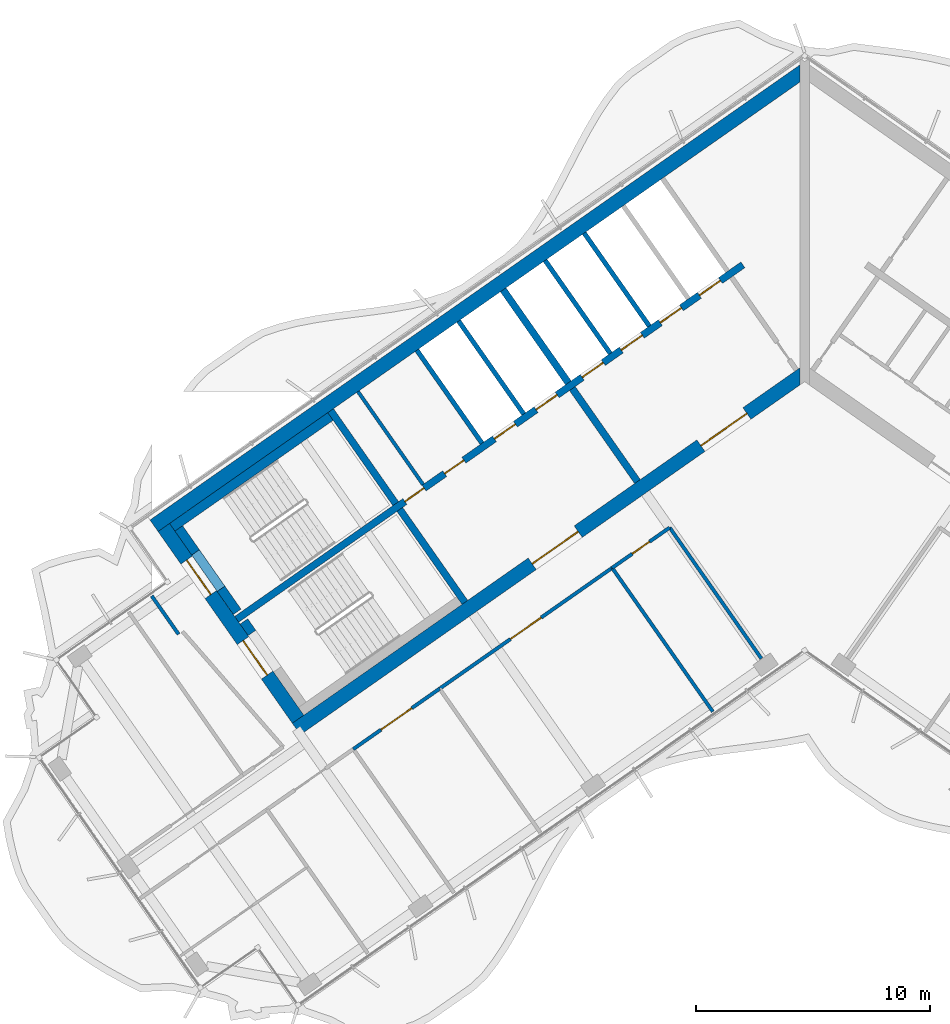
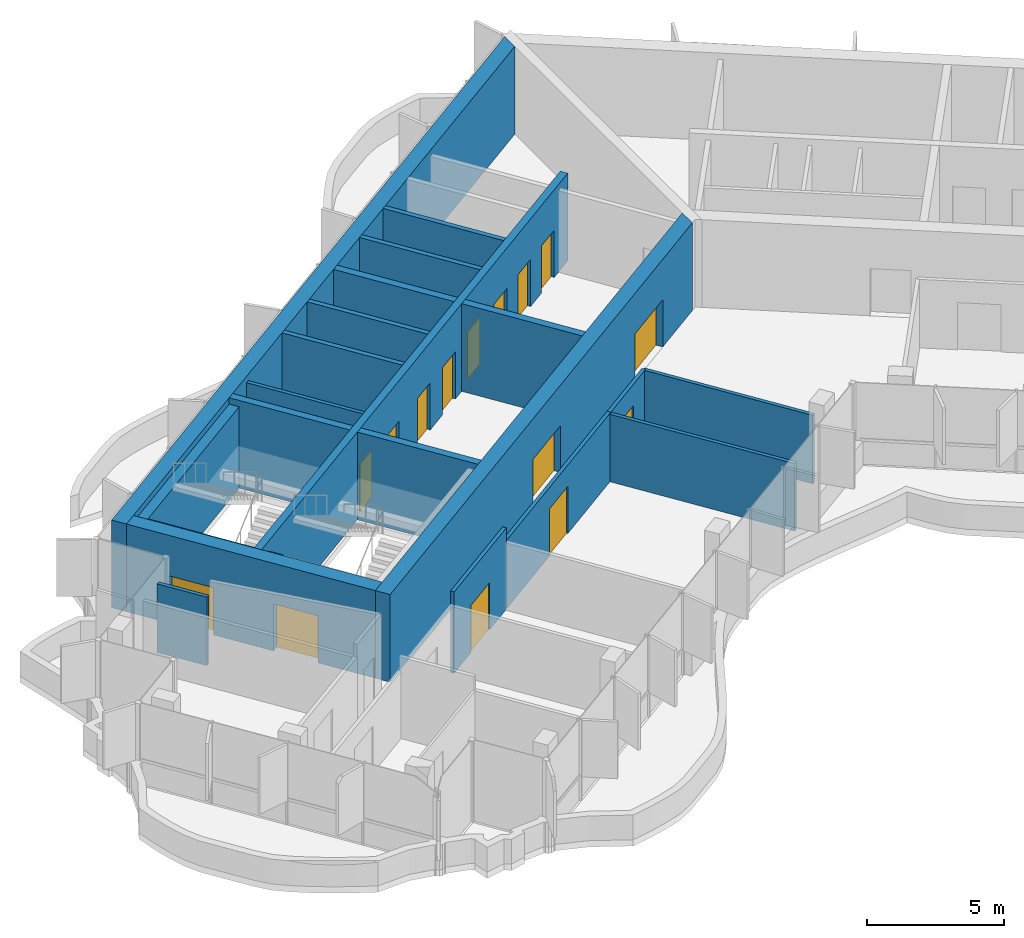
# One storey, part 9 of 17: 24 walls, 15 doors, 15 openings.
"""IFC4 building model written with IfcOpenShell, lengths in metres."""

from ifc_helpers import new_model, si_unit, direction, frame, frame_2d, origin, place, context, subcontext, project, spatial, polyline, rectangle, outline, extrude, material, layer, layer_set, type_object, element, fill, save


model = new_model("IFC4")

# Units and contexts
model_context = context("Model", 3, precision=1e-05, world=origin(), true_north=direction((0.0, 1.0)))
body_context = subcontext(model_context, "Body", "Model", "MODEL_VIEW")
ifc_project = project(units=[si_unit("LENGTHUNIT", "METRE"), si_unit("AREAUNIT", "SQUARE_METRE"), si_unit("VOLUMEUNIT", "CUBIC_METRE"), si_unit("PLANEANGLEUNIT", "RADIAN"), si_unit("MASSUNIT", "GRAM", prefix="KILO")], contexts=[model_context])

# Site, building, storey
site_placement = place(None, origin())
site = spatial("IfcSite", under=ifc_project, at=site_placement, CompositionType="ELEMENT")
building_placement = place(site_placement, origin())
building = spatial("IfcBuilding", under=site, at=building_placement, Name="Tel Ilan Convention Tower", CompositionType="ELEMENT")
storey_placement = place(building_placement, frame((0.0, 0.0, 283.89990234375)))
storey = spatial("IfcBuildingStorey", under=building, at=storey_placement, Name="L67", CompositionType="ELEMENT", Elevation=283.89990234375)

# Walls
ifc_material_1 = material(Name="Gypsum Plasterboard on Steel Stud", Category="steel")
ifc_layer_1 = layer(ifc_material_1, 0.14990234375)
ifc_layer_set_1 = layer_set([ifc_layer_1], Name="Core Room Partition Wall 150 mm EI 60")
wall_type_1 = type_object("IfcWallType", Name="Core Room Partition Wall 150 mm EI 60", PredefinedType="PARTITIONING", material=ifc_layer_set_1)
wall_1_placement = place(storey_placement, frame((-16.302001953125, -5.6162109375, 0.0), z_axis=(0.0, 0.0, 1.0), x_axis=(-0.573560315113, 0.819163332265, 0.0)))
element("IfcWall", 1, at=wall_1_placement, inside=storey, type_object=wall_type_1, Name="L67 core wall bank-W2-split", PredefinedType="PARTITIONING", context=body_context, shape_type="SweptSolid", body=[
    extrude(rectangle(XDim=4.849853515625, YDim=0.14990234375, at=frame_2d((2.4248046875, 0.0))), origin(), (0.0, 0.0, 1.0), 3.6201171875),
])
ifc_material_2 = material(Name="Concrete C40/50", Category="concrete")
ifc_layer_2 = layer(ifc_material_2, 0.300048828125)
ifc_layer_set_2 = layer_set([ifc_layer_2], Name="Core Shear Wall 300 mm C40/50")
wall_type_2 = type_object("IfcWallType", Name="Core Shear Wall 300 mm C40/50", PredefinedType="SHEAR", material=ifc_layer_set_2)
wall_2_placement = place(storey_placement, frame((-7.142822265625, -5.48974609375, 0.0), z_axis=(0.0, 0.0, 1.0), x_axis=(-0.573617744349, 0.819123118565, 0.0)))
element("IfcWall", 2, at=wall_2_placement, inside=storey, type_object=wall_type_2, Name="L67 core wall W-cross1-1", PredefinedType="SHEAR", context=body_context, shape_type="SweptSolid", body=[
    extrude(outline(polyline([(4.85009765625, 0.14990234375), (0.0, 0.150146484375), (0.0, -0.14990234375), (4.85009765625, -0.150146484375), (4.85009765625, 0.14990234375)])), origin(), (0.0, 0.0, 1.0), 3.900146484375),
])
wall_3_placement = place(storey_placement, frame((-10.096923828125, -1.271240234375, 0.0), z_axis=(0.0, 0.0, 1.0), x_axis=(-0.573560315113, 0.819163332265, 0.0)))
element("IfcWall", 3, at=wall_3_placement, inside=storey, type_object=wall_type_2, Name="L67 core wall W-cross1-2", PredefinedType="SHEAR", context=body_context, shape_type="SweptSolid", body=[
    extrude(outline(polyline([(4.849853515625, -0.14990234375), (4.849853515625, 0.150146484375), (0.0, 0.14990234375), (0.0, -0.150146484375), (4.849853515625, -0.14990234375)])), origin(), (0.0, 0.0, 1.0), 3.900146484375),
])
wall_4_placement = place(storey_placement, frame((-14.515380859375, -10.652099609375, 0.0), z_axis=(0.0, 0.0, 1.0), x_axis=(-0.573560315113, 0.819163332265, 0.0)))
element("IfcWall", 4, at=wall_4_placement, inside=storey, type_object=wall_type_2, Name="L67 core wall W-cross2-1", PredefinedType="SHEAR", context=body_context, shape_type="SweptSolid", body=[
    extrude(outline(polyline([(4.85009765625, 0.14990234375), (0.0, 0.14990234375), (0.0, -0.150146484375), (4.85009765625, -0.14990234375), (4.85009765625, 0.14990234375)])), origin(), (0.0, 0.0, 1.0), 3.900146484375),
])
wall_5_placement = place(storey_placement, frame((-17.46923828125, -6.433349609375, 0.0), z_axis=(0.0, 0.0, 1.0), x_axis=(-0.573594092424, 0.81913968109, 0.0)))
element("IfcWall", 5, at=wall_5_placement, inside=storey, type_object=wall_type_2, Name="L67 core wall W-cross2-2", PredefinedType="SHEAR", context=body_context, shape_type="SweptSolid", body=[
    extrude(outline(polyline([(4.849853515625, -0.150146484375), (4.849853515625, 0.14990234375), (0.0, 0.14990234375), (0.0, -0.14990234375), (4.849853515625, -0.150146484375)])), origin(), (0.0, 0.0, 1.0), 3.900146484375),
])

# Wall, openings, doors
wall_6_placement = place(storey_placement, frame((-2.638427734375, 3.76806640625, 0.0), z_axis=(0.0, 0.0, 1.0), x_axis=(-0.819155014212, -0.573572194837, 0.0)))
wall_6 = element("IfcWall", 6, at=wall_6_placement, inside=storey, type_object=wall_type_2, Name="L67 core wall W-spine", PredefinedType="SHEAR", context=body_context, shape_type="SweptSolid", body=[
    extrude(outline(polyline([(26.39990234375, 0.150146484375), (0.0, 0.14990234375), (0.0, -0.150146484375), (26.39990234375, -0.14990234375), (26.39990234375, 0.150146484375)])), origin(), (0.0, 0.0, 1.0), 3.900146484375),
])
opening_1_placement = place(wall_6_placement, frame((1.168701171875, 0.0, 0.0)))
opening_1 = element("IfcOpeningElement", 7, at=opening_1_placement, cuts=wall_6, Name="Opening LD5004", PredefinedType="OPENING", context=body_context, shape_type="SweptSolid", body=[
    extrude(rectangle(XDim=1.10009765625, YDim=2.10009765625, at=frame_2d((0.550048828125, 1.050048828125))), frame((0.0, 0.159912109375, 0.0), z_axis=(0.0, -1.0, 0.0), x_axis=(1.0, 0.0, 0.0)), (0.0, 0.0, 1.0), 0.320068359375),
])
opening_2_placement = place(wall_6_placement, frame((3.206298828125, 0.0, 0.0)))
opening_2 = element("IfcOpeningElement", 8, at=opening_2_placement, cuts=wall_6, Name="Opening LD5005", PredefinedType="OPENING", context=body_context, shape_type="SweptSolid", body=[
    extrude(rectangle(XDim=1.10009765625, YDim=2.10009765625, at=frame_2d((0.550048828125, 1.050048828125))), frame((0.0, 0.159912109375, 0.0), z_axis=(0.0, -1.0, 0.0), x_axis=(1.0, 0.0, 0.0)), (0.0, 0.0, 1.0), 0.320068359375),
])
opening_3_placement = place(wall_6_placement, frame((5.24365234375, 0.0, 0.0)))
opening_3 = element("IfcOpeningElement", 9, at=opening_3_placement, cuts=wall_6, Name="Opening LD5006", PredefinedType="OPENING", context=body_context, shape_type="SweptSolid", body=[
    extrude(rectangle(XDim=1.10009765625, YDim=2.10009765625, at=frame_2d((0.550048828125, 1.050048828125))), frame((0.0, 0.159912109375, 0.0), z_axis=(0.0, -1.0, 0.0), x_axis=(1.0, 0.0, 0.0)), (0.0, 0.0, 1.0), 0.320068359375),
])
opening_4_placement = place(wall_6_placement, frame((7.28125, 0.0, 0.0)))
opening_4 = element("IfcOpeningElement", 10, at=opening_4_placement, cuts=wall_6, Name="Opening LD5007", PredefinedType="OPENING", context=body_context, shape_type="SweptSolid", body=[
    extrude(rectangle(XDim=1.10009765625, YDim=2.10009765625, at=frame_2d((0.550048828125, 1.050048828125))), frame((0.0, 0.159912109375, 0.0), z_axis=(0.0, -1.0, 0.0), x_axis=(1.0, 0.0, 0.0)), (0.0, 0.0, 1.0), 0.320068359375),
])
opening_5_placement = place(wall_6_placement, frame((9.6875, 0.0, 0.0)))
opening_5 = element("IfcOpeningElement", 11, at=opening_5_placement, cuts=wall_6, Name="Opening LD5008", PredefinedType="OPENING", context=body_context, shape_type="SweptSolid", body=[
    extrude(rectangle(XDim=1.10009765625, YDim=2.10009765625, at=frame_2d((0.550048828125, 1.050048828125))), frame((0.0, 0.159912109375, 0.0), z_axis=(0.0, -1.0, 0.0), x_axis=(1.0, 0.0, 0.0)), (0.0, 0.0, 1.0), 0.320068359375),
])
opening_6_placement = place(wall_6_placement, frame((11.862548828125, 0.0, 0.0)))
opening_6 = element("IfcOpeningElement", 12, at=opening_6_placement, cuts=wall_6, Name="Opening LD5009", PredefinedType="OPENING", context=body_context, shape_type="SweptSolid", body=[
    extrude(rectangle(XDim=1.10009765625, YDim=2.10009765625, at=frame_2d((0.550048828125, 1.050048828125))), frame((0.0, 0.159912109375, 0.0), z_axis=(0.0, -1.0, 0.0), x_axis=(1.0, 0.0, 0.0)), (0.0, 0.0, 1.0), 0.320068359375),
])
opening_7_placement = place(wall_6_placement, frame((14.552490234375, 0.0, 0.0)))
opening_7 = element("IfcOpeningElement", 13, at=opening_7_placement, cuts=wall_6, Name="Opening CD5009", PredefinedType="OPENING", context=body_context, shape_type="SweptSolid", body=[
    extrude(rectangle(XDim=1.0, YDim=2.10009765625, at=frame_2d((0.5, 1.050048828125))), frame((0.0, 0.159912109375, 0.0), z_axis=(0.0, -1.0, 0.0), x_axis=(1.0, 0.0, 0.0)), (0.0, 0.0, 1.0), 0.320068359375),
])
opening_8_placement = place(wall_6_placement, frame((16.62744140625, 0.0, 0.0)))
opening_8 = element("IfcOpeningElement", 14, at=opening_8_placement, cuts=wall_6, Name="Opening CD5010", PredefinedType="OPENING", context=body_context, shape_type="SweptSolid", body=[
    extrude(rectangle(XDim=1.0, YDim=2.10009765625, at=frame_2d((0.5, 1.050048828125))), frame((0.0, 0.159912109375, 0.0), z_axis=(0.0, -1.0, 0.0), x_axis=(1.0, 0.0, 0.0)), (0.0, 0.0, 1.0), 0.320068359375),
])
ifc_material_3 = material(Name="Stainless Steel Sliding Door Leaf", Category="steel")
door_type_1 = type_object("IfcDoorType", Name="Lift Landing Door 1100 x 2100 FD120", OperationType="NOTDEFINED", PredefinedType="DOOR", material=ifc_material_3)
door_1_placement = place(opening_1_placement, origin())
door_1 = element("IfcDoor", 15, at=door_1_placement, inside=storey, type_object=door_type_1, Name="Lift HR1 landing door", OperationType="SLIDING_TO_LEFT", OverallHeight=2.10009765625, OverallWidth=1.10009765625, PredefinedType="DOOR", context=body_context, shape_type="SweptSolid", body=[
    extrude(rectangle(XDim=1.10009765625, YDim=2.10009765625, at=frame_2d((0.550048828125, 1.050048828125))), frame((0.0, 0.02490234375, 0.0), z_axis=(0.0, -1.0, 0.0), x_axis=(1.0, 0.0, 0.0)), (0.0, 0.0, 1.0), 0.050048828125),
])
fill(opening_1, door_1)
door_2_placement = place(opening_2_placement, origin())
door_2 = element("IfcDoor", 16, at=door_2_placement, inside=storey, type_object=door_type_1, Name="Lift HR2 landing door", OperationType="SLIDING_TO_RIGHT", OverallHeight=2.10009765625, OverallWidth=1.10009765625, PredefinedType="DOOR", context=body_context, shape_type="SweptSolid", body=[
    extrude(rectangle(XDim=1.10009765625, YDim=2.10009765625, at=frame_2d((0.550048828125, 1.050048828125))), frame((0.0, 0.02490234375, 0.0), z_axis=(0.0, -1.0, 0.0), x_axis=(1.0, 0.0, 0.0)), (0.0, 0.0, 1.0), 0.050048828125),
])
fill(opening_2, door_2)
door_3_placement = place(opening_3_placement, origin())
door_3 = element("IfcDoor", 17, at=door_3_placement, inside=storey, type_object=door_type_1, Name="Lift HR3 landing door", OperationType="SLIDING_TO_LEFT", OverallHeight=2.10009765625, OverallWidth=1.10009765625, PredefinedType="DOOR", context=body_context, shape_type="SweptSolid", body=[
    extrude(rectangle(XDim=1.10009765625, YDim=2.10009765625, at=frame_2d((0.550048828125, 1.050048828125))), frame((0.0, 0.02490234375, 0.0), z_axis=(0.0, -1.0, 0.0), x_axis=(1.0, 0.0, 0.0)), (0.0, 0.0, 1.0), 0.050048828125),
])
fill(opening_3, door_3)
door_4_placement = place(opening_4_placement, origin())
door_4 = element("IfcDoor", 18, at=door_4_placement, inside=storey, type_object=door_type_1, Name="Lift HR4 landing door", OperationType="SLIDING_TO_RIGHT", OverallHeight=2.10009765625, OverallWidth=1.10009765625, PredefinedType="DOOR", context=body_context, shape_type="SweptSolid", body=[
    extrude(rectangle(XDim=1.10009765625, YDim=2.10009765625, at=frame_2d((0.550048828125, 1.050048828125))), frame((0.0, 0.02490234375, 0.0), z_axis=(0.0, -1.0, 0.0), x_axis=(1.0, 0.0, 0.0)), (0.0, 0.0, 1.0), 0.050048828125),
])
fill(opening_4, door_4)
door_5_placement = place(opening_5_placement, origin())
door_5 = element("IfcDoor", 19, at=door_5_placement, inside=storey, type_object=door_type_1, Name="Lift HR5 landing door", OperationType="SLIDING_TO_LEFT", OverallHeight=2.10009765625, OverallWidth=1.10009765625, PredefinedType="DOOR", context=body_context, shape_type="SweptSolid", body=[
    extrude(rectangle(XDim=1.10009765625, YDim=2.10009765625, at=frame_2d((0.550048828125, 1.050048828125))), frame((0.0, 0.02490234375, 0.0), z_axis=(0.0, -1.0, 0.0), x_axis=(1.0, 0.0, 0.0)), (0.0, 0.0, 1.0), 0.050048828125),
])
fill(opening_5, door_5)
door_6_placement = place(opening_6_placement, origin())
door_6 = element("IfcDoor", 20, at=door_6_placement, inside=storey, type_object=door_type_1, Name="Lift HR6 landing door", OperationType="SLIDING_TO_RIGHT", OverallHeight=2.10009765625, OverallWidth=1.10009765625, PredefinedType="DOOR", context=body_context, shape_type="SweptSolid", body=[
    extrude(rectangle(XDim=1.10009765625, YDim=2.10009765625, at=frame_2d((0.550048828125, 1.050048828125))), frame((0.0, 0.02490234375, 0.0), z_axis=(0.0, -1.0, 0.0), x_axis=(1.0, 0.0, 0.0)), (0.0, 0.0, 1.0), 0.050048828125),
])
fill(opening_6, door_6)
ifc_material_4 = material(Name="Galvanised Steel Door Leaf", Category="steel")
door_type_2 = type_object("IfcDoorType", Name="Service Room Door 1000 x 2100 FD60", OperationType="NOTDEFINED", PredefinedType="DOOR", material=ifc_material_4)
door_7_placement = place(opening_7_placement, origin())
door_7 = element("IfcDoor", 21, at=door_7_placement, inside=storey, type_object=door_type_2, Name="Plant Room door", OperationType="SINGLE_SWING_RIGHT", OverallHeight=2.10009765625, OverallWidth=1.0, PredefinedType="DOOR", context=body_context, shape_type="SweptSolid", body=[
    extrude(rectangle(XDim=1.0, YDim=2.10009765625, at=frame_2d((0.5, 1.050048828125))), frame((0.0, 0.02490234375, 0.0), z_axis=(0.0, -1.0, 0.0), x_axis=(1.0, 0.0, 0.0)), (0.0, 0.0, 1.0), 0.050048828125),
])
fill(opening_7, door_7)
door_8_placement = place(opening_8_placement, origin())
door_8 = element("IfcDoor", 22, at=door_8_placement, inside=storey, type_object=door_type_2, Name="Plant Room door", OperationType="SINGLE_SWING_RIGHT", OverallHeight=2.10009765625, OverallWidth=1.0, PredefinedType="DOOR", context=body_context, shape_type="SweptSolid", body=[
    extrude(rectangle(XDim=1.0, YDim=2.10009765625, at=frame_2d((0.5, 1.050048828125))), frame((0.0, 0.02490234375, 0.0), z_axis=(0.0, -1.0, 0.0), x_axis=(1.0, 0.0, 0.0)), (0.0, 0.0, 1.0), 0.050048828125),
])
fill(opening_8, door_8)

# Wall
ifc_material_5 = material(Name="Concrete C40/50", Category="concrete")
ifc_layer_3 = layer(ifc_material_5, 0.60009765625)
ifc_layer_set_3 = layer_set([ifc_layer_3], Name="Core Shear Wall 600 mm C40/50")
wall_type_3 = type_object("IfcWallType", Name="Core Shear Wall 600 mm C40/50", PredefinedType="SHEAR", material=ifc_layer_set_3)
wall_7_placement = place(storey_placement, frame((-0.02783203125, 12.066162109375, 0.0), z_axis=(0.0, 0.0, 1.0), x_axis=(-0.819151382952, -0.573577380837, 0.0)))
element("IfcWall", 23, at=wall_7_placement, inside=storey, type_object=wall_type_3, Name="L67 core wall W-back", PredefinedType="SHEAR", context=body_context, shape_type="SweptSolid", body=[
    extrude(outline(polyline([(33.89794921875, 0.300048828125), (0.420166015625, 0.300048828125), (0.0, -0.300048828125), (33.898193359375, -0.300048828125), (33.89794921875, 0.300048828125)])), origin(), (0.0, 0.0, 1.0), 3.900146484375),
])

# Wall, openings, doors
wall_8_placement = place(storey_placement, frame((-0.02783203125, -0.8740234375, 0.0), z_axis=(0.0, 0.0, 1.0), x_axis=(-0.819150035022, -0.573579305871, 0.0)))
wall_8 = element("IfcWall", 24, at=wall_8_placement, inside=storey, type_object=wall_type_3, Name="L67 core wall W-front", PredefinedType="SHEAR", context=body_context, shape_type="SweptSolid", body=[
    extrude(outline(polyline([(26.475830078125, 0.2998046875), (0.420166015625, 0.300048828125), (0.000244140625, -0.300048828125), (26.475830078125, -0.300048828125), (26.475830078125, 0.2998046875)])), origin(), (0.0, 0.0, 1.0), 3.900146484375),
])
opening_9_placement = place(wall_8_placement, frame((2.975830078125, 0.0, 0.0)))
opening_9 = element("IfcOpeningElement", 25, at=opening_9_placement, cuts=wall_8, Name="Opening CD5006", PredefinedType="OPENING", context=body_context, shape_type="SweptSolid", body=[
    extrude(rectangle(XDim=2.39990234375, YDim=2.10009765625, at=frame_2d((1.199951171875, 1.050048828125))), frame((0.0, 0.31005859375, 0.0), z_axis=(0.0, -1.0, 0.0), x_axis=(1.0, 0.0, 0.0)), (0.0, 0.0, 1.0), 0.6201171875),
])
opening_10_placement = place(wall_8_placement, frame((11.77587890625, 0.0, 0.0)))
opening_10 = element("IfcOpeningElement", 26, at=opening_10_placement, cuts=wall_8, Name="Opening CD5007", PredefinedType="OPENING", context=body_context, shape_type="SweptSolid", body=[
    extrude(rectangle(XDim=2.39990234375, YDim=2.10009765625, at=frame_2d((1.199951171875, 1.050048828125))), frame((0.0, 0.31005859375, 0.0), z_axis=(0.0, -1.0, 0.0), x_axis=(1.0, 0.0, 0.0)), (0.0, 0.0, 1.0), 0.6201171875),
])
ifc_material_6 = material(Name="Glazed Aluminium Door Leaf", Category="aluminium")
door_type_3 = type_object("IfcDoorType", Name="Lobby Opening Door 2400 x 2100 FD60S", OperationType="NOTDEFINED", PredefinedType="DOOR", material=ifc_material_6)
door_9_placement = place(opening_9_placement, origin())
door_9 = element("IfcDoor", 27, at=door_9_placement, inside=storey, type_object=door_type_3, Name="Lift Lobby HR1-HR4 opening", OperationType="DOUBLE_DOOR_SINGLE_SWING", OverallHeight=2.10009765625, OverallWidth=2.39990234375, PredefinedType="DOOR", context=body_context, shape_type="SweptSolid", body=[
    extrude(rectangle(XDim=2.39990234375, YDim=2.10009765625, at=frame_2d((1.199951171875, 1.050048828125))), frame((0.0, 0.02490234375, 0.0), z_axis=(0.0, -1.0, 0.0), x_axis=(1.0, 0.0, 0.0)), (0.0, 0.0, 1.0), 0.050048828125),
])
fill(opening_9, door_9)
door_10_placement = place(opening_10_placement, origin())
door_10 = element("IfcDoor", 28, at=door_10_placement, inside=storey, type_object=door_type_3, Name="Lift Lobby HR5-HR6 opening", OperationType="DOUBLE_DOOR_SINGLE_SWING", OverallHeight=2.10009765625, OverallWidth=2.39990234375, PredefinedType="DOOR", context=body_context, shape_type="SweptSolid", body=[
    extrude(rectangle(XDim=2.39990234375, YDim=2.10009765625, at=frame_2d((1.199951171875, 1.050048828125))), frame((0.0, 0.02490234375, 0.0), z_axis=(0.0, -1.0, 0.0), x_axis=(1.0, 0.0, 0.0)), (0.0, 0.0, 1.0), 0.050048828125),
])
fill(opening_10, door_10)

wall_9_placement = place(storey_placement, frame((-21.641845703125, -15.64208984375, 0.0), z_axis=(0.0, 0.0, 1.0), x_axis=(-0.573586866468, 0.819144740944, 0.0)))
wall_9 = element("IfcWall", 29, at=wall_9_placement, inside=storey, type_object=wall_type_3, Name="L67 core wall W-end", PredefinedType="SHEAR", context=body_context, shape_type="SweptSolid", body=[
    extrude(outline(polyline([(0.0, 0.300048828125), (0.0, -0.2998046875), (10.0, -0.300048828125), (10.0, 0.300048828125), (0.0, 0.300048828125)])), origin(), (0.0, 0.0, 1.0), 3.900146484375),
])
opening_11_placement = place(wall_9_placement, frame((6.5, 0.0, 0.0)))
opening_11 = element("IfcOpeningElement", 30, at=opening_11_placement, cuts=wall_9, Name="Opening SD5001", PredefinedType="OPENING", context=body_context, shape_type="SweptSolid", body=[
    extrude(rectangle(XDim=1.800048828125, YDim=2.10009765625, at=frame_2d((0.89990234375, 1.050048828125))), frame((0.0, 0.31005859375, 0.0), z_axis=(0.0, -1.0, 0.0), x_axis=(1.0, 0.0, 0.0)), (0.0, 0.0, 1.0), 0.6201171875),
])
opening_12_placement = place(wall_9_placement, frame((2.300048828125, 0.0, 0.0)))
opening_12 = element("IfcOpeningElement", 31, at=opening_12_placement, cuts=wall_9, Name="Opening SD5002", PredefinedType="OPENING", context=body_context, shape_type="SweptSolid", body=[
    extrude(rectangle(XDim=1.800048828125, YDim=2.10009765625, at=frame_2d((0.89990234375, 1.050048828125))), frame((0.0, 0.31005859375, 0.0), z_axis=(0.0, -1.0, 0.0), x_axis=(1.0, 0.0, 0.0)), (0.0, 0.0, 1.0), 0.6201171875),
])
ifc_material_7 = material(Name="Galvanised Steel Door Leaf", Category="steel")
door_type_4 = type_object("IfcDoorType", Name="Stair Fire Door 1800 x 2100 FD60S", OperationType="NOTDEFINED", PredefinedType="DOOR", material=ifc_material_7)
door_11_placement = place(opening_11_placement, origin())
door_11 = element("IfcDoor", 32, at=door_11_placement, inside=storey, type_object=door_type_4, Name="Stair S1 door", OperationType="DOUBLE_DOOR_SINGLE_SWING", OverallHeight=2.10009765625, OverallWidth=1.800048828125, PredefinedType="DOOR", context=body_context, shape_type="SweptSolid", body=[
    extrude(rectangle(XDim=1.800048828125, YDim=2.10009765625, at=frame_2d((0.89990234375, 1.050048828125))), frame((0.0, 0.02490234375, 0.0), z_axis=(0.0, -1.0, 0.0), x_axis=(1.0, 0.0, 0.0)), (0.0, 0.0, 1.0), 0.050048828125),
])
fill(opening_11, door_11)
door_12_placement = place(opening_12_placement, origin())
door_12 = element("IfcDoor", 33, at=door_12_placement, inside=storey, type_object=door_type_4, Name="Stair S2 door", OperationType="DOUBLE_DOOR_SINGLE_SWING", OverallHeight=2.10009765625, OverallWidth=1.800048828125, PredefinedType="DOOR", context=body_context, shape_type="SweptSolid", body=[
    extrude(rectangle(XDim=1.800048828125, YDim=2.10009765625, at=frame_2d((0.89990234375, 1.050048828125))), frame((0.0, 0.02490234375, 0.0), z_axis=(0.0, -1.0, 0.0), x_axis=(1.0, 0.0, 0.0)), (0.0, 0.0, 1.0), 0.050048828125),
])
fill(opening_12, door_12)

# Wall, opening, door
ifc_material_8 = material(Name="Plasterboard on Steel Studs", Category="steel")
ifc_layer_4 = layer(ifc_material_8, 0.14990234375)
ifc_layer_set_4 = layer_set([ifc_layer_4], Name="Fire-rated Partition 150 EI 60")
wall_type_4 = type_object("IfcWallType", Name="Fire-rated Partition 150 EI 60", PredefinedType="PARTITIONING", material=ifc_layer_set_4)
wall_10_placement = place(storey_placement, frame((-5.766357421875, -7.455810546875, 0.0), z_axis=(0.0, 0.0, 1.0), x_axis=(-0.819132568355, -0.573604249862, 0.0)))
wall_10 = element("IfcWall", 34, at=wall_10_placement, inside=storey, type_object=wall_type_4, Name="Partition 009", PredefinedType="PARTITIONING", context=body_context, shape_type="SweptSolid", body=[
    extrude(rectangle(XDim=3.001953125, YDim=0.14990234375, at=frame_2d((1.5009765625, 0.0))), origin(), (0.0, 0.0, 1.0), 3.050048828125),
])
opening_13_placement = place(wall_10_placement, frame((1.051025390625, 0.0, 0.0)))
opening_13 = element("IfcOpeningElement", 35, at=opening_13_placement, cuts=wall_10, Name="Opening L65-001", PredefinedType="OPENING", context=body_context, shape_type="SweptSolid", body=[
    extrude(rectangle(XDim=0.89990234375, YDim=2.10009765625, at=frame_2d((0.449951171875, 1.050048828125))), frame((0.0, 0.0849609375, 0.0), z_axis=(0.0, -1.0, 0.0), x_axis=(1.0, 0.0, 0.0)), (0.0, 0.0, 1.0), 0.169921875),
])
ifc_material_9 = material(Name="Timber Door Leaf in Steel Frame", Category="steel")
door_type_5 = type_object("IfcDoorType", Name="Room Fire Door 900x2100", OperationType="NOTDEFINED", PredefinedType="DOOR", material=ifc_material_9)
door_13_placement = place(opening_13_placement, origin())
door_13 = element("IfcDoor", 36, at=door_13_placement, inside=storey, type_object=door_type_5, Name="Door L65-001", OperationType="SINGLE_SWING_RIGHT", OverallHeight=2.10009765625, OverallWidth=0.89990234375, PredefinedType="DOOR", context=body_context, shape_type="SweptSolid", body=[
    extrude(rectangle(XDim=0.89990234375, YDim=2.10009765625, at=frame_2d((0.449951171875, 1.050048828125))), frame((0.0, 0.02490234375, 0.0), z_axis=(0.0, -1.0, 0.0), x_axis=(1.0, 0.0, 0.0)), (0.0, 0.0, 1.0), 0.050048828125),
])
fill(opening_13, door_13)

wall_11_placement = place(storey_placement, frame((-8.22216796875, -9.17529296875, 0.0), z_axis=(0.0, 0.0, 1.0), x_axis=(-0.819151661297, -0.57357698332, 0.0)))
wall_11 = element("IfcWall", 37, at=wall_11_placement, inside=storey, type_object=wall_type_4, Name="Partition 010", PredefinedType="PARTITIONING", context=body_context, shape_type="SweptSolid", body=[
    extrude(rectangle(XDim=9.004150390625, YDim=0.14990234375, at=frame_2d((4.501953125, 0.0))), origin(), (0.0, 0.0, 1.0), 3.050048828125),
])
opening_14_placement = place(wall_11_placement, frame((3.701904296875, 0.0, 0.0)))
opening_14 = element("IfcOpeningElement", 38, at=opening_14_placement, cuts=wall_11, Name="Opening L65-002", PredefinedType="OPENING", context=body_context, shape_type="SweptSolid", body=[
    extrude(rectangle(XDim=1.60009765625, YDim=2.10009765625, at=frame_2d((0.800048828125, 1.050048828125))), frame((0.0, 0.0849609375, 0.0), z_axis=(0.0, -1.0, 0.0), x_axis=(1.0, 0.0, 0.0)), (0.0, 0.0, 1.0), 0.169921875),
])
ifc_material_10 = material(Name="Timber Door Leaf in Steel Frame", Category="steel")
door_type_6 = type_object("IfcDoorType", Name="Tenant Suite Entrance Fire Door 1600x2100", OperationType="NOTDEFINED", PredefinedType="DOOR", material=ifc_material_10)
door_14_placement = place(opening_14_placement, origin())
door_14 = element("IfcDoor", 39, at=door_14_placement, inside=storey, type_object=door_type_6, Name="Door L65-002", OperationType="DOUBLE_DOOR_SINGLE_SWING", OverallHeight=2.10009765625, OverallWidth=1.60009765625, PredefinedType="DOOR", context=body_context, shape_type="SweptSolid", body=[
    extrude(rectangle(XDim=1.60009765625, YDim=2.10009765625, at=frame_2d((0.800048828125, 1.050048828125))), frame((0.0, 0.02490234375, 0.0), z_axis=(0.0, -1.0, 0.0), x_axis=(1.0, 0.0, 0.0)), (0.0, 0.0, 1.0), 0.050048828125),
])
fill(opening_14, door_14)

wall_12_placement = place(storey_placement, frame((-15.594482421875, -14.337646484375, 0.0), z_axis=(0.0, 0.0, 1.0), x_axis=(-0.819165703328, -0.573556928727, 0.0)))
wall_12 = element("IfcWall", 40, at=wall_12_placement, inside=storey, type_object=wall_type_4, Name="Partition 011", PredefinedType="PARTITIONING", context=body_context, shape_type="SweptSolid", body=[
    extrude(rectangle(XDim=4.50390625, YDim=0.14990234375, at=frame_2d((2.251953125, 0.0))), origin(), (0.0, 0.0, 1.0), 3.6201171875),
])
opening_15_placement = place(wall_12_placement, frame((1.451904296875, 0.0, 0.0)))
opening_15 = element("IfcOpeningElement", 41, at=opening_15_placement, cuts=wall_12, Name="Opening L65-003", PredefinedType="OPENING", context=body_context, shape_type="SweptSolid", body=[
    extrude(rectangle(XDim=1.60009765625, YDim=2.10009765625, at=frame_2d((0.800048828125, 1.050048828125))), frame((0.0, 0.0849609375, 0.0), z_axis=(0.0, -1.0, 0.0), x_axis=(1.0, 0.0, 0.0)), (0.0, 0.0, 1.0), 0.169921875),
])
door_15_placement = place(opening_15_placement, origin())
door_15 = element("IfcDoor", 42, at=door_15_placement, inside=storey, type_object=door_type_6, Name="Door L65-003", OperationType="DOUBLE_DOOR_SINGLE_SWING", OverallHeight=2.10009765625, OverallWidth=1.60009765625, PredefinedType="DOOR", context=body_context, shape_type="SweptSolid", body=[
    extrude(rectangle(XDim=1.60009765625, YDim=2.10009765625, at=frame_2d((0.800048828125, 1.050048828125))), frame((0.0, 0.02490234375, 0.0), z_axis=(0.0, -1.0, 0.0), x_axis=(1.0, 0.0, 0.0)), (0.0, 0.0, 1.0), 0.050048828125),
])
fill(opening_15, door_15)

# Walls
wall_13_placement = place(storey_placement, frame((-1.848876953125, -13.050537109375, 0.0), z_axis=(0.0, 0.0, 1.0), x_axis=(-0.57357985571, 0.819149650018, 0.0)))
element("IfcWall", 43, at=wall_13_placement, inside=storey, type_object=wall_type_4, Name="Partition 021", PredefinedType="PARTITIONING", context=body_context, shape_type="SweptSolid", body=[
    extrude(rectangle(XDim=6.83203125, YDim=0.14990234375, at=frame_2d((3.416015625, 0.0))), origin(), (0.0, 0.0, 1.0), 3.050048828125),
])
wall_14_placement = place(storey_placement, frame((-26.74609375, -12.013671875, 0.0), z_axis=(0.0, 0.0, 1.0), x_axis=(-0.573568836472, 0.819157365729, 0.0)))
element("IfcWall", 44, at=wall_14_placement, inside=storey, type_object=wall_type_4, Name="Partition 022", PredefinedType="PARTITIONING", context=body_context, shape_type="SweptSolid", body=[
    extrude(rectangle(XDim=2.000244140625, YDim=0.14990234375, at=frame_2d((1.0, 0.0))), origin(), (0.0, 0.0, 1.0), 3.050048828125),
])
wall_15_placement = place(storey_placement, frame((-3.922119140625, -15.3203125, 0.0), z_axis=(0.0, 0.0, 1.0), x_axis=(-0.573560650686, 0.819163097304, 0.0)))
element("IfcWall", 45, at=wall_15_placement, inside=storey, type_object=wall_type_4, Name="Partition 025", PredefinedType="PARTITIONING", context=body_context, shape_type="SweptSolid", body=[
    extrude(rectangle(XDim=7.5, YDim=0.14990234375, at=frame_2d((3.75, 0.0))), origin(), (0.0, 0.0, 1.0), 3.0),
])
ifc_material_11 = material(Name="Concrete C30/37", Category="concrete")
ifc_layer_5 = layer(ifc_material_11, 0.199951171875)
ifc_layer_set_5 = layer_set([ifc_layer_5], Name="Lift Shaft Wall 200 mm C30/37")
wall_type_5 = type_object("IfcWallType", Name="Lift Shaft Wall 200 mm C30/37", PredefinedType="SOLIDWALL", material=ifc_layer_set_5)
wall_16_placement = place(storey_placement, frame((-6.635986328125, 1.152099609375, 0.0), z_axis=(0.0, 0.0, 1.0), x_axis=(-0.573560315113, 0.819163332265, 0.0)))
element("IfcWall", 46, at=wall_16_placement, inside=storey, type_object=wall_type_5, Name="L67 core wall bank-W1-p1", PredefinedType="SOLIDWALL", context=body_context, shape_type="SweptSolid", body=[
    extrude(rectangle(XDim=4.849853515625, YDim=0.199951171875, at=frame_2d((2.4248046875, 0.0))), origin(), (0.0, 0.0, 1.0), 3.900146484375),
])
wall_17_placement = place(storey_placement, frame((-8.304931640625, -0.0166015625, 0.0), z_axis=(0.0, 0.0, 1.0), x_axis=(-0.573594092424, 0.81913968109, 0.0)))
element("IfcWall", 47, at=wall_17_placement, inside=storey, type_object=wall_type_5, Name="L67 core wall bank-W1-p2", PredefinedType="SOLIDWALL", context=body_context, shape_type="SweptSolid", body=[
    extrude(rectangle(XDim=4.85009765625, YDim=0.199951171875, at=frame_2d((2.425048828125, 0.0))), origin(), (0.0, 0.0, 1.0), 3.900146484375),
])
wall_18_placement = place(storey_placement, frame((-12.00146484375, -2.604736328125, 0.0), z_axis=(0.0, 0.0, 1.0), x_axis=(-0.573560315113, 0.819163332265, 0.0)))
element("IfcWall", 48, at=wall_18_placement, inside=storey, type_object=wall_type_5, Name="L67 core wall bank-W2-p0", PredefinedType="SOLIDWALL", context=body_context, shape_type="SweptSolid", body=[
    extrude(rectangle(XDim=4.849853515625, YDim=0.199951171875, at=frame_2d((2.4248046875, 0.0))), origin(), (0.0, 0.0, 1.0), 3.900146484375),
])
wall_19_placement = place(storey_placement, frame((-13.782958984375, -3.852294921875, 0.0), z_axis=(0.0, 0.0, 1.0), x_axis=(-0.573594092424, 0.81913968109, 0.0)))
element("IfcWall", 49, at=wall_19_placement, inside=storey, type_object=wall_type_5, Name="L67 core wall bank-W2-p1", PredefinedType="SOLIDWALL", context=body_context, shape_type="SweptSolid", body=[
    extrude(rectangle(XDim=4.85009765625, YDim=0.199951171875, at=frame_2d((2.425048828125, 0.0))), origin(), (0.0, 0.0, 1.0), 3.900146484375),
])
ifc_material_12 = material(Name="Concrete C30/37", Category="concrete")
ifc_layer_6 = layer(ifc_material_12, 0.39990234375)
ifc_layer_set_6 = layer_set([ifc_layer_6], Name="Stair and Shaft Lining Wall 400 mm C30/37")
wall_type_6 = type_object("IfcWallType", Name="Stair and Shaft Lining Wall 400 mm C30/37", PredefinedType="SOLIDWALL", material=ifc_layer_set_6)
wall_20_placement = place(storey_placement, frame((-20.25927734375, -2.71044921875, 0.0), z_axis=(0.0, 0.0, 1.0), x_axis=(-0.81914849389, -0.573581506813, 0.0)))
element("IfcWall", 50, at=wall_20_placement, inside=storey, type_object=wall_type_6, Name="L67 core wall lining-S1-t1", PredefinedType="SOLIDWALL", context=body_context, shape_type="SweptSolid", body=[
    extrude(rectangle(XDim=8.249755859375, YDim=0.39990234375, at=frame_2d((4.125, 0.0))), origin(), (0.0, 0.0, 1.0), 3.6201171875),
])
wall_21_placement = place(storey_placement, frame((-24.24365234375, -11.0546875, 0.0), z_axis=(0.0, 0.0, 1.0), x_axis=(-0.573571582932, 0.819155442668, 0.0)))
element("IfcWall", 51, at=wall_21_placement, inside=storey, type_object=wall_type_6, Name="L67 core wall lining-S1-u1-0", PredefinedType="SOLIDWALL", context=body_context, shape_type="SweptSolid", body=[
    extrude(rectangle(XDim=1.199951171875, YDim=0.39990234375, at=frame_2d((0.60009765625, 0.0))), origin(), (0.0, 0.0, 1.0), 3.6201171875),
])
wall_22_placement = place(storey_placement, frame((-26.021728515625, -8.515380859375, 0.0), z_axis=(0.0, 0.0, 1.0), x_axis=(-0.573619628835, 0.819121798889, 0.0)))
element("IfcWall", 52, at=wall_22_placement, inside=storey, type_object=wall_type_6, Name="L67 core wall lining-S1-u1-1", PredefinedType="SOLIDWALL", context=body_context, shape_type="SweptSolid", body=[
    extrude(rectangle(XDim=1.25, YDim=0.39990234375, at=frame_2d((0.625, 0.0))), origin(), (0.0, 0.0, 1.0), 3.6201171875),
])
wall_23_placement = place(storey_placement, frame((-24.931884765625, -10.07177734375, 2.150146484375), z_axis=(0.0, 0.0, 1.0), x_axis=(-0.573591692345, 0.819141361715, 0.0)))
element("IfcWall", 53, at=wall_23_placement, inside=storey, type_object=wall_type_6, Name="L67 core wall lining-S1-u1-lintel", PredefinedType="SOLIDWALL", context=body_context, shape_type="SweptSolid", body=[
    extrude(rectangle(XDim=1.900146484375, YDim=0.39990234375, at=frame_2d((0.9501953125, 0.0))), origin(), (0.0, 0.0, 1.0), 1.469970703125),
])
wall_24_placement = place(storey_placement, frame((-23.61279296875, -11.955810546875, 0.0), z_axis=(0.0, 0.0, 1.0), x_axis=(-0.573435029941, 0.819251039936, 0.0)))
element("IfcWall", 54, at=wall_24_placement, inside=storey, type_object=wall_type_6, Name="L67 core wall lining-S2-u1-1", PredefinedType="SOLIDWALL", context=body_context, shape_type="SweptSolid", body=[
    extrude(rectangle(XDim=0.599853515625, YDim=0.39990234375, at=frame_2d((0.2998046875, 0.0))), origin(), (0.0, 0.0, 1.0), 3.6201171875),
])

save(model, "model.ifc")
